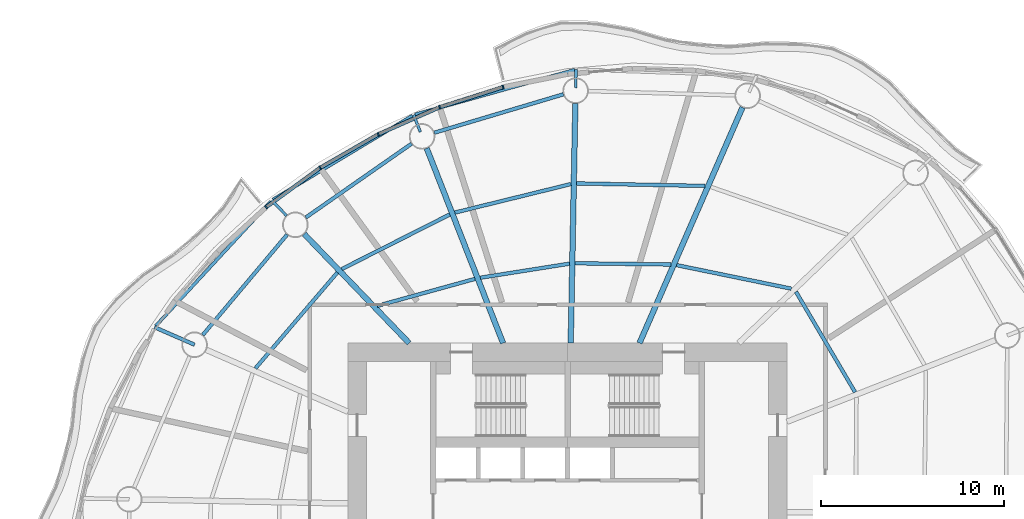
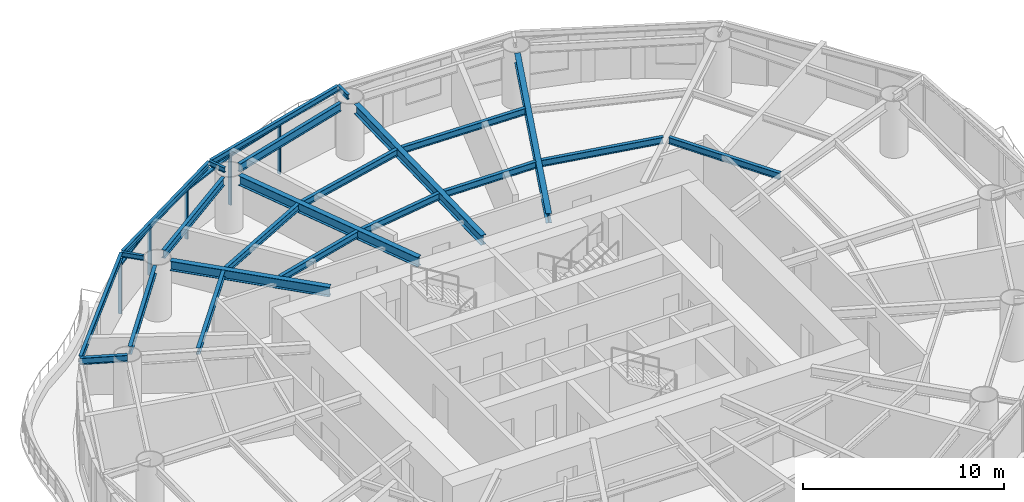
# One storey, part 5 of 14: 23 beams, 9 members, 4 elements without a shape of their own.
"""IFC4 building model written with IfcOpenShell, lengths in metres."""

from ifc_helpers import new_model, si_unit, direction, frame, origin, origin_2d, place, context, subcontext, project, spatial, rectangle, i_section, extrude, material, material_profile, profile_set, type_object, element, aggregate, save


model = new_model("IFC4")

# Units and contexts
model_context = context("Model", 3, precision=1e-05, world=origin(), true_north=direction((0.0, 1.0)))
body_context = subcontext(model_context, "Body", "Model", "MODEL_VIEW")
ifc_project = project(units=[si_unit("LENGTHUNIT", "METRE"), si_unit("AREAUNIT", "SQUARE_METRE"), si_unit("VOLUMEUNIT", "CUBIC_METRE"), si_unit("PLANEANGLEUNIT", "RADIAN"), si_unit("MASSUNIT", "GRAM", prefix="KILO")], contexts=[model_context])

# Site, building, storey
site_placement = place(None, origin())
site = spatial("IfcSite", under=ifc_project, at=site_placement, CompositionType="ELEMENT")
building_placement = place(site_placement, origin())
building = spatial("IfcBuilding", under=site, at=building_placement, Name="Vermilion Reach Broadcast Tower", CompositionType="ELEMENT")
storey_placement = place(building_placement, frame((0.0, 0.0, 143.39990234375)))
storey = spatial("IfcBuildingStorey", under=building, at=storey_placement, Name="L33", CompositionType="ELEMENT", Elevation=143.39990234375)

# Beams
ifc_material_1 = material(Name="Steel S355J2", Category="steel")
ifc_material_profile_1 = material_profile(ifc_material_1, i_section(OverallWidth=0.175048828125, OverallDepth=0.35009765625, WebThickness=0.007080078125, FlangeThickness=0.010986328125, at=origin_2d()), Name="S355J2 HN 350x175x7x11")
ifc_profile_set_1 = profile_set([ifc_material_profile_1], Name="Steel S355J2")
beam_type_1 = type_object("IfcBeamType", Name="EB3 HN 350x175x7x11", PredefinedType="BEAM", material=ifc_profile_set_1)
beam_1_placement = place(storey_placement, frame((-5.611083984375, 23.938720703125, 3.275146484375), z_axis=(-0.962993947265, -0.269523018554, 0.0), x_axis=(0.269523018554, -0.962993947265, 0.0)))
element("IfcBeam", 1, at=beam_1_placement, inside=storey, type_object=beam_type_1, Name="Edge beam EB3-03", PredefinedType="BEAM", context=body_context, shape_type="SweptSolid", body=[
    extrude(i_section(OverallWidth=0.175048828125, OverallDepth=0.35009765625, WebThickness=0.007080078125, FlangeThickness=0.010986328125, at=origin_2d()), origin(), (0.0, 0.0, 1.0), 9.063720703125),
])
beam_2_placement = place(storey_placement, frame((-14.47705078125, 21.436279296875, 3.275146484375), z_axis=(-0.856561978584, -0.516044161718, 0.0), x_axis=(0.516044161718, -0.856561978584, 0.0)))
element("IfcBeam", 2, at=beam_2_placement, inside=storey, type_object=beam_type_1, Name="Edge beam EB3-04", PredefinedType="BEAM", context=body_context, shape_type="SweptSolid", body=[
    extrude(i_section(OverallWidth=0.175048828125, OverallDepth=0.35009765625, WebThickness=0.007080078125, FlangeThickness=0.010986328125, at=origin_2d()), origin(), (0.0, 0.0, 1.0), 8.89892578125),
])
beam_3_placement = place(storey_placement, frame((-22.216552734375, 16.7490234375, 3.275146484375), z_axis=(-0.67884029594, -0.73428594744, 0.0), x_axis=(0.73428594744, -0.67884029594, 0.0)))
element("IfcBeam", 3, at=beam_3_placement, inside=storey, type_object=beam_type_1, Name="Edge beam EB3-05", PredefinedType="BEAM", context=body_context, shape_type="SweptSolid", body=[
    extrude(i_section(OverallWidth=0.175048828125, OverallDepth=0.35009765625, WebThickness=0.007080078125, FlangeThickness=0.010986328125, at=origin_2d()), origin(), (0.0, 0.0, 1.0), 9.264404296875),
])
ifc_material_2 = material(Name="Steel S355J2", Category="steel")
ifc_material_profile_2 = material_profile(ifc_material_2, i_section(OverallWidth=0.300048828125, OverallDepth=0.587890625, WebThickness=0.011962890625, FlangeThickness=0.02001953125, at=origin_2d()), Name="S355J2 HM 588x300x12x20")
ifc_profile_set_2 = profile_set([ifc_material_profile_2], Name="Steel S355J2")
beam_type_2 = type_object("IfcBeamType", Name="G3 HM 588x300x12x20", PredefinedType="BEAM", material=ifc_profile_set_2)
beam_4_placement = place(storey_placement, frame((-2.066162109375, 9.0, 3.156005859375), z_axis=(0.400519113205, 0.916288404356, 0.0), x_axis=(-0.916288404356, 0.400519113205, 0.0)))
element("IfcBeam", 4, at=beam_4_placement, inside=storey, type_object=beam_type_2, Name="Girder G3-02", PredefinedType="BEAM", context=body_context, shape_type="SweptSolid", body=[
    extrude(i_section(OverallWidth=0.300048828125, OverallDepth=0.587890625, WebThickness=0.011962890625, FlangeThickness=0.02001953125, at=origin_2d()), origin(), (0.0, 0.0, 1.0), 14.0595703125),
])
beam_5_placement = place(storey_placement, frame((-5.82568359375, 9.0, 3.156005859375), z_axis=(0.019378372481, 0.99981222171, 0.0), x_axis=(-0.99981222171, 0.019378372481, 0.0)))
element("IfcBeam", 5, at=beam_5_placement, inside=storey, type_object=beam_type_2, Name="Girder G3-03", PredefinedType="BEAM", context=body_context, shape_type="SweptSolid", body=[
    extrude(i_section(OverallWidth=0.300048828125, OverallDepth=0.587890625, WebThickness=0.011962890625, FlangeThickness=0.02001953125, at=origin_2d()), origin(), (0.0, 0.0, 1.0), 13.1025390625),
])
beam_6_placement = place(storey_placement, frame((-9.525146484375, 9.0, 3.156005859375), z_axis=(-0.364715649973, 0.931118947646, 0.0), x_axis=(-0.931118947646, -0.364715649973, 0.0)))
element("IfcBeam", 6, at=beam_6_placement, inside=storey, type_object=beam_type_2, Name="Girder G3-04", PredefinedType="BEAM", context=body_context, shape_type="SweptSolid", body=[
    extrude(i_section(OverallWidth=0.300048828125, OverallDepth=0.587890625, WebThickness=0.011962890625, FlangeThickness=0.02001953125, at=origin_2d()), origin(), (0.0, 0.0, 1.0), 11.436767578125),
])
beam_7_placement = place(storey_placement, frame((-14.657958984375, 9.0, 3.156005859375), z_axis=(-0.693282657492, 0.72066577331, 0.0), x_axis=(-0.72066577331, -0.693282657492, 0.0)))
element("IfcBeam", 7, at=beam_7_placement, inside=storey, type_object=beam_type_2, Name="Girder G3-05", PredefinedType="BEAM", context=body_context, shape_type="SweptSolid", body=[
    extrude(i_section(OverallWidth=0.300048828125, OverallDepth=0.587890625, WebThickness=0.011962890625, FlangeThickness=0.02001953125, at=origin_2d()), origin(), (0.0, 0.0, 1.0), 8.273681640625),
])
ifc_material_3 = material(Name="Steel S355J2", Category="steel")
ifc_material_profile_3 = material_profile(ifc_material_3, i_section(OverallWidth=0.199951171875, OverallDepth=0.39990234375, WebThickness=0.008056640625, FlangeThickness=0.012939453125, at=origin_2d()), Name="S355J2 HN 400x200x8x13")
ifc_profile_set_3 = profile_set([ifc_material_profile_3], Name="Steel S355J2")
beam_type_3 = type_object("IfcBeamType", Name="GC3 HN 400x200x8x13", PredefinedType="BEAM", material=ifc_profile_set_3)
beam_8_placement = place(storey_placement, frame((-26.38818359375, 8.91162109375, 3.25), z_axis=(-0.916272210902, 0.400556157771, 0.0), x_axis=(-0.400556157771, -0.916272210902, 0.0)))
element("IfcBeam", 8, at=beam_8_placement, inside=storey, type_object=beam_type_3, Name="Cantilever girder GC3-06", PredefinedType="BEAM", context=body_context, shape_type="SweptSolid", body=[
    extrude(i_section(OverallWidth=0.199951171875, OverallDepth=0.39990234375, WebThickness=0.008056640625, FlangeThickness=0.012939453125, at=origin_2d()), origin(), (0.0, 0.0, 1.0), 2.38916015625),
])
ifc_material_4 = material(Name="Steel S355J2", Category="steel")
ifc_material_profile_4 = material_profile(ifc_material_4, i_section(OverallWidth=0.14990234375, OverallDepth=0.300048828125, WebThickness=0.006591796875, FlangeThickness=0.009033203125, at=origin_2d()), Name="S355J2 HN 300x150x6.5x9")
ifc_profile_set_4 = profile_set([ifc_material_profile_4], Name="Steel S355J2")
beam_type_4 = type_object("IfcBeamType", Name="GS3 HN 300x150x6.5x9", PredefinedType="BEAM", material=ifc_profile_set_4)
for number, where, z_axis, x_axis, name in (
    (9, (-5.55517578125, 22.9599609375, 3.300048828125), (0.019532292583, 0.999809226576, 0.0), (-0.999809226576, 0.019532292583, 0.0), "Cantilever stub GS3-03"),
    (10, (-14.047119140625, 20.54443359375, 3.300048828125), (-0.364730702407, 0.931113051526, 0.0), (-0.931113051526, -0.364730702407, 0.0), "Cantilever stub GS3-04"),
):
    element("IfcBeam", number, at=place(storey_placement, frame(where, z_axis=z_axis, x_axis=x_axis)), inside=storey, type_object=beam_type_4, Name=name, PredefinedType="BEAM", context=body_context, shape_type="SweptSolid", body=[
        extrude(i_section(OverallWidth=0.14990234375, OverallDepth=0.300048828125, WebThickness=0.006591796875, FlangeThickness=0.009033203125, at=origin_2d()), origin(), (0.0, 0.0, 1.0), 1.0),
    ])
beam_9_placement = place(storey_placement, frame((-21.364501953125, 15.9716796875, 3.300048828125), z_axis=(-0.693345176879, 0.720605624248, 0.0), x_axis=(-0.720605624248, -0.693345176879, 0.0)))
element("IfcBeam", 11, at=beam_9_placement, inside=storey, type_object=beam_type_4, Name="Cantilever stub GS3-05", PredefinedType="BEAM", context=body_context, shape_type="SweptSolid", body=[
    extrude(i_section(OverallWidth=0.14990234375, OverallDepth=0.300048828125, WebThickness=0.006591796875, FlangeThickness=0.009033203125, at=origin_2d()), origin(), (0.0, 0.0, 1.0), 1.1552734375),
])
ifc_material_5 = material(Name="Steel S355J2", Category="steel")
ifc_material_profile_5 = material_profile(ifc_material_5, i_section(OverallWidth=0.199951171875, OverallDepth=0.5, WebThickness=0.010009765625, FlangeThickness=0.01611328125, at=origin_2d()), Name="S355J2 HN 500x200x10x16")
ifc_profile_set_5 = profile_set([ifc_material_profile_5], Name="Steel S355J2")
beam_type_5 = type_object("IfcBeamType", Name="RB3 HN 500x200x10x16", PredefinedType="BEAM", material=ifc_profile_set_5)
beam_10_placement = place(storey_placement, frame((-6.229248046875, 22.60009765625, 3.2001953125), z_axis=(-0.958416970322, -0.285371531516, 0.0), x_axis=(0.285371531516, -0.958416970322, 0.0)))
element("IfcBeam", 12, at=beam_10_placement, inside=storey, type_object=beam_type_5, Name="Ring beam RB3-03", PredefinedType="BEAM", context=body_context, shape_type="SweptSolid", body=[
    extrude(i_section(OverallWidth=0.199951171875, OverallDepth=0.5, WebThickness=0.010009765625, FlangeThickness=0.01611328125, at=origin_2d()), origin(), (0.0, 0.0, 1.0), 7.357421875),
])
beam_11_placement = place(storey_placement, frame((-14.525634765625, 19.900146484375, 3.2001953125), z_axis=(-0.820111453349, -0.572203813415, 0.0), x_axis=(0.572203813415, -0.820111453349, 0.0)))
element("IfcBeam", 13, at=beam_11_placement, inside=storey, type_object=beam_type_5, Name="Ring beam RB3-04", PredefinedType="BEAM", context=body_context, shape_type="SweptSolid", body=[
    extrude(i_section(OverallWidth=0.199951171875, OverallDepth=0.5, WebThickness=0.010009765625, FlangeThickness=0.01611328125, at=origin_2d()), origin(), (0.0, 0.0, 1.0), 7.04736328125),
])
beam_12_placement = place(storey_placement, frame((-21.32958984375, 14.931396484375, 3.2001953125), z_axis=(-0.643350337931, -0.765571905626, 0.0), x_axis=(0.765571905626, -0.643350337931, 0.0)))
element("IfcBeam", 14, at=beam_12_placement, inside=storey, type_object=beam_type_5, Name="Ring beam RB3-05", PredefinedType="BEAM", context=body_context, shape_type="SweptSolid", body=[
    extrude(i_section(OverallWidth=0.199951171875, OverallDepth=0.5, WebThickness=0.010009765625, FlangeThickness=0.01611328125, at=origin_2d()), origin(), (0.0, 0.0, 1.0), 7.1630859375),
])
ifc_material_6 = material(Name="Steel S355J2", Category="steel")
ifc_material_profile_6 = material_profile(ifc_material_6, i_section(OverallWidth=0.199951171875, OverallDepth=0.39990234375, WebThickness=0.008056640625, FlangeThickness=0.012939453125, at=origin_2d()), Name="S355J2 HN 400x200x8x13")
ifc_profile_set_6 = profile_set([ifc_material_profile_6], Name="Steel S355J2")
beam_type_6 = type_object("IfcBeamType", Name="SB3 HN 400x200x8x13", PredefinedType="BEAM", material=ifc_profile_set_6)
beam_13_placement = place(storey_placement, frame((6.232666015625, 11.975830078125, 3.25), z_axis=(-0.97956765607, 0.201114910391, 0.0), x_axis=(-0.201114910391, -0.97956765607, 0.0)))
element("IfcBeam", 15, at=beam_13_placement, inside=storey, type_object=beam_type_6, Name="Secondary beam SB3-01-1", PredefinedType="BEAM", context=body_context, shape_type="SweptSolid", body=[
    extrude(i_section(OverallWidth=0.199951171875, OverallDepth=0.39990234375, WebThickness=0.008056640625, FlangeThickness=0.012939453125, at=origin_2d()), origin(), (0.0, 0.0, 1.0), 6.40234375),
])
beam_14_placement = place(storey_placement, frame((-0.351806640625, 13.29638671875, 3.25), z_axis=(-0.999914891843, 0.013046419838, 0.0), x_axis=(-0.013046419838, -0.999914891843, 0.0)))
element("IfcBeam", 16, at=beam_14_placement, inside=storey, type_object=beam_type_6, Name="Secondary beam SB3-02-1", PredefinedType="BEAM", context=body_context, shape_type="SweptSolid", body=[
    extrude(i_section(OverallWidth=0.199951171875, OverallDepth=0.39990234375, WebThickness=0.008056640625, FlangeThickness=0.012939453125, at=origin_2d()), origin(), (0.0, 0.0, 1.0), 5.23974609375),
])
beam_15_placement = place(storey_placement, frame((1.525634765625, 17.591552734375, 3.25), z_axis=(-0.999804929321, 0.019751033045, 0.0), x_axis=(-0.019751033045, -0.999804929321, 0.0)))
element("IfcBeam", 17, at=beam_15_placement, inside=storey, type_object=beam_type_6, Name="Secondary beam SB3-02-2", PredefinedType="BEAM", context=body_context, shape_type="SweptSolid", body=[
    extrude(i_section(OverallWidth=0.199951171875, OverallDepth=0.39990234375, WebThickness=0.008056640625, FlangeThickness=0.012939453125, at=origin_2d()), origin(), (0.0, 0.0, 1.0), 7.033447265625),
])
beam_16_placement = place(storey_placement, frame((-5.8916015625, 13.343017578125, 3.25), z_axis=(-0.987756142208, -0.15600578044, 0.0), x_axis=(0.15600578044, -0.987756142208, 0.0)))
element("IfcBeam", 18, at=beam_16_placement, inside=storey, type_object=beam_type_6, Name="Secondary beam SB3-03-1", PredefinedType="BEAM", context=body_context, shape_type="SweptSolid", body=[
    extrude(i_section(OverallWidth=0.199951171875, OverallDepth=0.39990234375, WebThickness=0.008056640625, FlangeThickness=0.012939453125, at=origin_2d()), origin(), (0.0, 0.0, 1.0), 4.9326171875),
])
beam_17_placement = place(storey_placement, frame((-5.80712890625, 17.6962890625, 3.25), z_axis=(-0.971111691931, -0.238625400566, 0.0), x_axis=(0.238625400566, -0.971111691931, 0.0)))
element("IfcBeam", 19, at=beam_17_placement, inside=storey, type_object=beam_type_6, Name="Secondary beam SB3-03-2", PredefinedType="BEAM", context=body_context, shape_type="SweptSolid", body=[
    extrude(i_section(OverallWidth=0.199951171875, OverallDepth=0.39990234375, WebThickness=0.008056640625, FlangeThickness=0.012939453125, at=origin_2d()), origin(), (0.0, 0.0, 1.0), 6.540771484375),
])
beam_18_placement = place(storey_placement, frame((-11.06103515625, 12.509521484375, 3.25), z_axis=(-0.963889790258, -0.266301468708, 0.0), x_axis=(0.266301468708, -0.963889790258, 0.0)))
element("IfcBeam", 20, at=beam_18_placement, inside=storey, type_object=beam_type_6, Name="Secondary beam SB3-04-1", PredefinedType="BEAM", context=body_context, shape_type="SweptSolid", body=[
    extrude(i_section(OverallWidth=0.199951171875, OverallDepth=0.39990234375, WebThickness=0.008056640625, FlangeThickness=0.012939453125, at=origin_2d()), origin(), (0.0, 0.0, 1.0), 5.544677734375),
])
beam_19_placement = place(storey_placement, frame((-12.4404296875, 16.03125, 3.25), z_axis=(-0.892320561657, -0.451402276516, 0.0), x_axis=(0.451402276516, -0.892320561657, 0.0)))
element("IfcBeam", 21, at=beam_19_placement, inside=storey, type_object=beam_type_6, Name="Secondary beam SB3-04-2", PredefinedType="BEAM", context=body_context, shape_type="SweptSolid", body=[
    extrude(i_section(OverallWidth=0.199951171875, OverallDepth=0.39990234375, WebThickness=0.008056640625, FlangeThickness=0.012939453125, at=origin_2d()), origin(), (0.0, 0.0, 1.0), 6.613525390625),
])
beam_20_placement = place(storey_placement, frame((-18.579833984375, 12.860595703125, 3.25), z_axis=(-0.650167134505, -0.759791219487, 0.0), x_axis=(0.759791219487, -0.650167134505, 0.0)))
element("IfcBeam", 22, at=beam_20_placement, inside=storey, type_object=beam_type_6, Name="Secondary beam SB3-05-2", PredefinedType="BEAM", context=body_context, shape_type="SweptSolid", body=[
    extrude(i_section(OverallWidth=0.199951171875, OverallDepth=0.39990234375, WebThickness=0.008056640625, FlangeThickness=0.012939453125, at=origin_2d()), origin(), (0.0, 0.0, 1.0), 6.89501953125),
])
beam_21_placement = place(storey_placement, frame((9.71923828125, 6.318115234375, 3.25), z_axis=(-0.507249643612, 0.861799163991, 0.0), x_axis=(-0.861799163991, -0.507249643612, 0.0)))
element("IfcBeam", 23, at=beam_21_placement, inside=storey, type_object=beam_type_6, Name="Secondary beam SB3-16-1", PredefinedType="BEAM", context=body_context, shape_type="SweptSolid", body=[
    extrude(i_section(OverallWidth=0.199951171875, OverallDepth=0.39990234375, WebThickness=0.008056640625, FlangeThickness=0.012939453125, at=origin_2d()), origin(), (0.0, 0.0, 1.0), 6.3681640625),
])

# Curtain wall, member
ifc_material_7 = material(Name="Low-e laminated clear glass in aluminium frame", Category="aluminium")
curtain_wall_type = type_object("IfcCurtainWallType", Name="Slot curtain wall", PredefinedType="NOTDEFINED", material=ifc_material_7)
placement = place(storey_placement, origin())
curtain_wall_1 = element("IfcCurtainWall", 24, at=placement, inside=storey, type_object=curtain_wall_type, Name="Slot curtain wall L33 10", PredefinedType="NOTDEFINED")
ifc_material_8 = material(Name="Anodised aluminium", Category="aluminium")
ifc_material_profile_7 = material_profile(ifc_material_8, rectangle(XDim=0.199951171875, YDim=0.080078125, at=origin_2d()), Name="Slot mullion 80 x 200")
ifc_profile_set_7 = profile_set([ifc_material_profile_7], Name="Anodised aluminium")
member_type_1 = type_object("IfcMemberType", Name="Slot mullion 80 x 200", PredefinedType="MULLION", material=ifc_profile_set_7)
member_1_placement = place(storey_placement, frame((-9.518798828125, 22.99755859375, 0.0), z_axis=(0.0, 0.0, 1.0), x_axis=(0.250025181148, -0.968239334458, 0.0)))
member_1 = element("IfcMember", 25, at=member_1_placement, type_object=member_type_1, Name="Slot mullion L33 10", PredefinedType="MULLION", context=body_context, shape_type="SweptSolid", body=[
    extrude(rectangle(XDim=0.199951171875, YDim=0.080078125, at=origin_2d()), origin(), (0.0, 0.0, 1.0), 3.050048828125),
])

curtain_wall_2 = element("IfcCurtainWall", 26, at=placement, inside=storey, type_object=curtain_wall_type, Name="Slot curtain wall L33 11", PredefinedType="NOTDEFINED")
member_2_placement = place(storey_placement, frame((-12.9931640625, 21.89404296875, 0.0), z_axis=(0.0, 0.0, 1.0), x_axis=(0.353704472197, -0.93535722927, 0.0)))
member_2 = element("IfcMember", 27, at=member_2_placement, type_object=member_type_1, Name="Slot mullion L33 11", PredefinedType="MULLION", context=body_context, shape_type="SweptSolid", body=[
    extrude(rectangle(XDim=0.199951171875, YDim=0.080078125, at=origin_2d()), origin(), (0.0, 0.0, 1.0), 3.050048828125),
])

curtain_wall_3 = element("IfcCurtainWall", 28, at=placement, inside=storey, type_object=curtain_wall_type, Name="Slot curtain wall L33 12", PredefinedType="NOTDEFINED")
member_3_placement = place(storey_placement, frame((-16.34765625, 20.4140625, 0.0), z_axis=(0.0, 0.0, 1.0), x_axis=(0.452123307744, -0.891955444288, 0.0)))
member_3 = element("IfcMember", 29, at=member_3_placement, type_object=member_type_1, Name="Slot mullion L33 12", PredefinedType="MULLION", context=body_context, shape_type="SweptSolid", body=[
    extrude(rectangle(XDim=0.199951171875, YDim=0.080078125, at=origin_2d()), origin(), (0.0, 0.0, 1.0), 3.050048828125),
])

# Curtain wall, members
curtain_wall_4 = element("IfcCurtainWall", 30, at=placement, inside=storey, type_object=curtain_wall_type, Name="Slot curtain wall L33 13", PredefinedType="NOTDEFINED")
member_4_placement = place(storey_placement, frame((-19.5244140625, 18.583251953125, 0.0), z_axis=(0.0, 0.0, 1.0), x_axis=(0.54531113532, -0.838233717823, 0.0)))
member_4 = element("IfcMember", 31, at=member_4_placement, type_object=member_type_1, Name="Slot mullion L33 13", PredefinedType="MULLION", context=body_context, shape_type="SweptSolid", body=[
    extrude(rectangle(XDim=0.199951171875, YDim=0.080078125, at=origin_2d()), origin(), (0.0, 0.0, 1.0), 3.050048828125),
])
member_5_placement = place(storey_placement, frame((-22.468505859375, 16.43359375, 0.0), z_axis=(0.0, 0.0, 1.0), x_axis=(0.633124214367, -0.774050211021, 0.0)))
member_5 = element("IfcMember", 32, at=member_5_placement, type_object=member_type_1, Name="Slot mullion L33 14", PredefinedType="MULLION", context=body_context, shape_type="SweptSolid", body=[
    extrude(rectangle(XDim=0.199951171875, YDim=0.080078125, at=origin_2d()), origin(), (0.0, 0.0, 1.0), 3.050048828125),
])

# Member
ifc_material_9 = material(Name="Anodised aluminium", Category="aluminium")
ifc_material_profile_8 = material_profile(ifc_material_9, rectangle(XDim=0.199951171875, YDim=0.10009765625, at=origin_2d()), Name="Slot transom 200 x 100")
ifc_profile_set_8 = profile_set([ifc_material_profile_8], Name="Anodised aluminium")
member_type_2 = type_object("IfcMemberType", Name="Slot transom 200 x 100", PredefinedType="USERDEFINED", material=ifc_profile_set_8)
member_6_placement = place(storey_placement, frame((-9.556884765625, 22.985595703125, 3.0), z_axis=(-0.953059675971, -0.302782519372, 0.0), x_axis=(0.302782519372, -0.953059675971, 0.0)))
member_6 = element("IfcMember", 33, at=member_6_placement, type_object=member_type_2, Name="Slot transom L33 10.1", ObjectType="TRANSOM", PredefinedType="USERDEFINED", context=body_context, shape_type="SweptSolid", body=[
    extrude(rectangle(XDim=0.199951171875, YDim=0.10009765625, at=origin_2d()), origin(), (0.0, 0.0, 1.0), 3.565673828125),
])

aggregate(curtain_wall_1, [member_1, member_6])

member_7_placement = place(storey_placement, frame((-13.02978515625, 21.8779296875, 3.0), z_axis=(-0.914903013166, -0.403673725303, 0.0), x_axis=(0.403673725303, -0.914903013166, 0.0)))
member_7 = element("IfcMember", 34, at=member_7_placement, type_object=member_type_2, Name="Slot transom L33 11.1", ObjectType="TRANSOM", PredefinedType="USERDEFINED", context=body_context, shape_type="SweptSolid", body=[
    extrude(rectangle(XDim=0.199951171875, YDim=0.10009765625, at=origin_2d()), origin(), (0.0, 0.0, 1.0), 3.58642578125),
])

aggregate(curtain_wall_2, [member_2, member_7])

member_8_placement = place(storey_placement, frame((-16.38232421875, 20.39404296875, 3.0), z_axis=(-0.866423476231, -0.499309883576, 0.0), x_axis=(0.499309883576, -0.866423476231, 0.0)))
member_8 = element("IfcMember", 35, at=member_8_placement, type_object=member_type_2, Name="Slot transom L33 12.1", ObjectType="TRANSOM", PredefinedType="USERDEFINED", context=body_context, shape_type="SweptSolid", body=[
    extrude(rectangle(XDim=0.199951171875, YDim=0.10009765625, at=origin_2d()), origin(), (0.0, 0.0, 1.0), 3.58642578125),
])

aggregate(curtain_wall_3, [member_3, member_8])

member_9_placement = place(storey_placement, frame((-19.556640625, 18.559814453125, 3.0), z_axis=(-0.807600574235, -0.589729864001, 0.0), x_axis=(0.589729864001, -0.807600574235, 0.0)))
member_9 = element("IfcMember", 36, at=member_9_placement, type_object=member_type_2, Name="Slot transom L33 13.1", ObjectType="TRANSOM", PredefinedType="USERDEFINED", context=body_context, shape_type="SweptSolid", body=[
    extrude(rectangle(XDim=0.199951171875, YDim=0.10009765625, at=origin_2d()), origin(), (0.0, 0.0, 1.0), 3.565673828125),
])

aggregate(curtain_wall_4, [member_4, member_5, member_9])

save(model, "model.ifc")
